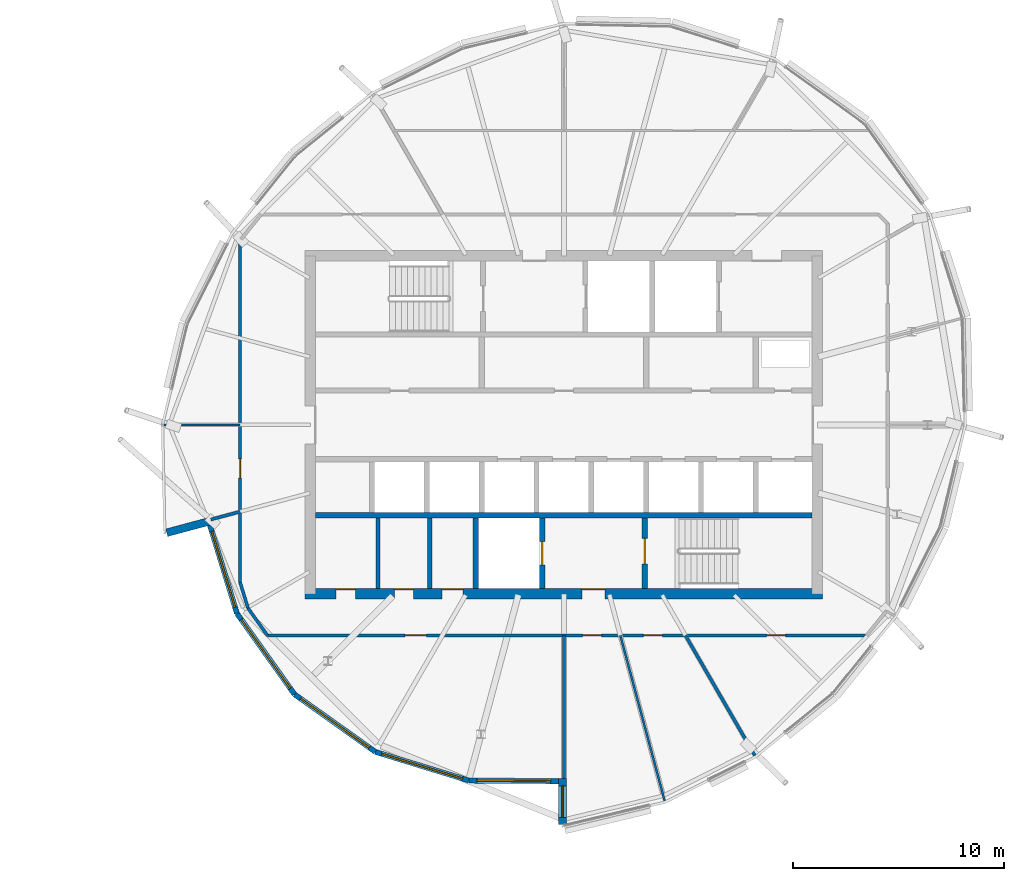
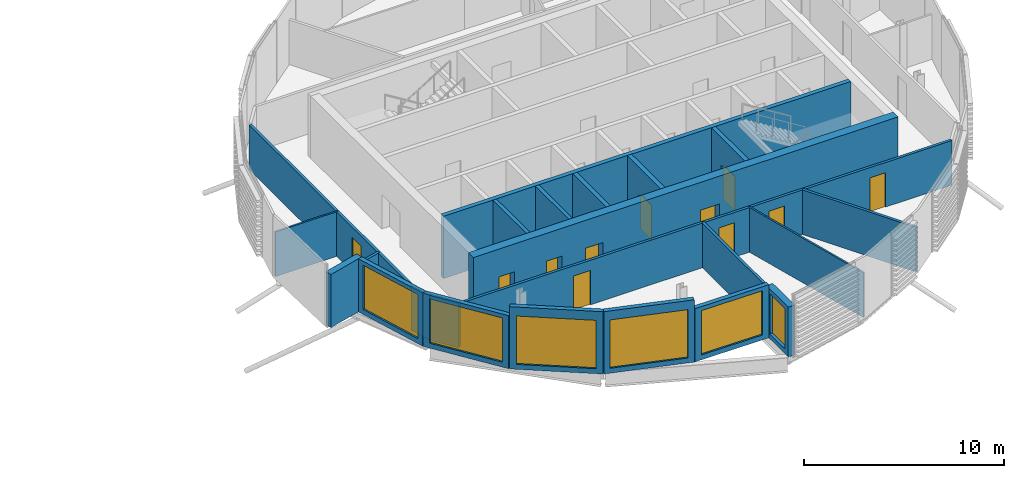
# One storey, part 21 of 36: 23 walls, 11 doors, 6 windows, 17 openings.
"""IFC4 building model written with IfcOpenShell, lengths in metres."""

from ifc_helpers import new_model, si_unit, direction, frame, frame_2d, origin, place, context, subcontext, project, spatial, rectangle, extrude, material, layer, layer_set, type_object, element, fill, save


model = new_model("IFC4")

# Units and contexts
model_context = context("Model", 3, precision=1e-05, world=origin(), true_north=direction((0.0, 1.0)))
body_context = subcontext(model_context, "Body", "Model", "MODEL_VIEW")
ifc_project = project(units=[si_unit("LENGTHUNIT", "METRE"), si_unit("AREAUNIT", "SQUARE_METRE"), si_unit("VOLUMEUNIT", "CUBIC_METRE"), si_unit("PLANEANGLEUNIT", "RADIAN"), si_unit("MASSUNIT", "GRAM", prefix="KILO")], contexts=[model_context])

# Site, building, storey
site_placement = place(None, origin())
site = spatial("IfcSite", under=ifc_project, at=site_placement, CompositionType="ELEMENT")
building_placement = place(site_placement, origin())
building = spatial("IfcBuilding", under=site, at=building_placement, Name="Rimbun Link Towers", CompositionType="ELEMENT")
storey_placement = place(building_placement, frame((0.0, 0.0, 248.5)))
storey = spatial("IfcBuildingStorey", under=building, at=storey_placement, Name="L61", CompositionType="ELEMENT", Elevation=248.5)

# Wall, opening, window
ifc_material_1 = material(Name="Dark enamelled glass spandrel on insulated aluminium backpan", Category="aluminium")
ifc_layer_1 = layer(ifc_material_1, 0.25)
ifc_layer_set_1 = layer_set([ifc_layer_1], Name="CS dark enamelled spandrel wall 250")
wall_type_1 = type_object("IfcWallType", Name="CS dark enamelled spandrel wall 250", PredefinedType="STANDARD", material=ifc_layer_set_1)
wall_1_placement = place(storey_placement, frame((16.2744140625, -8.92529296875, 0.0), z_axis=(0.0, 0.0, 1.0), x_axis=(-0.292962457371, 0.956123945193, 0.0)))
wall_1 = element("IfcWall", 1, at=wall_1_placement, inside=storey, type_object=wall_type_1, Name="Crease spandrel wall", PredefinedType="STANDARD", context=body_context, shape_type="SweptSolid", body=[
    extrude(rectangle(XDim=4.368408203125, YDim=0.25, at=frame_2d((2.18408203125, 0.0))), origin(), (0.0, 0.0, 1.0), 3.24365234375),
])
opening_1_placement = place(wall_1_placement, frame((0.309326171875, 0.0, 0.300048828125)))
opening_1 = element("IfcOpeningElement", 2, at=opening_1_placement, cuts=wall_1, Name="Opening WR38H270", PredefinedType="OPENING", context=body_context, shape_type="SweptSolid", body=[
    extrude(rectangle(XDim=3.75, YDim=2.699951171875, at=frame_2d((1.875, 1.35009765625))), frame((0.0, 0.135009765625, 0.0), z_axis=(0.0, -1.0, 0.0), x_axis=(1.0, 0.0, 0.0)), (0.0, 0.0, 1.0), 0.27001953125),
])
ifc_material_2 = material(Name="Aluminium framed fixed window, dark tinted low-e glass", Category="aluminium")
window_type_1 = type_object("IfcWindowType", Name="WR ribbon window 3750X2700", PartitioningType="SINGLE_PANEL", PredefinedType="WINDOW", material=ifc_material_2)
window_1_placement = place(opening_1_placement, origin())
window_1 = element("IfcWindow", 3, at=window_1_placement, inside=storey, type_object=window_type_1, Name="Crease ribbon window", OverallHeight=2.699951171875, OverallWidth=3.75, PartitioningType="SINGLE_PANEL", PredefinedType="WINDOW", context=body_context, shape_type="SweptSolid", body=[
    extrude(rectangle(XDim=3.75, YDim=2.699951171875, at=frame_2d((1.875, 1.35009765625))), frame((0.0, 0.030029296875, 0.0), z_axis=(0.0, -1.0, 0.0), x_axis=(1.0, 0.0, 0.0)), (0.0, 0.0, 1.0), 0.06005859375),
])
fill(opening_1, window_1)

wall_2_placement = place(storey_placement, frame((18.99755859375, -12.75244140625, 0.0), z_axis=(0.0, 0.0, 1.0), x_axis=(-0.579752367254, 0.814792729879, 0.0)))
wall_2 = element("IfcWall", 4, at=wall_2_placement, inside=storey, type_object=wall_type_1, Name="Crease spandrel wall", PredefinedType="STANDARD", context=body_context, shape_type="SweptSolid", body=[
    extrude(rectangle(XDim=4.697021484375, YDim=0.25, at=frame_2d((2.3486328125, 0.0))), origin(), (0.0, 0.0, 1.0), 3.24365234375),
])
opening_2_placement = place(wall_2_placement, frame((0.3486328125, 0.0, 0.300048828125)))
opening_2 = element("IfcOpeningElement", 5, at=opening_2_placement, cuts=wall_2, Name="Opening WR40H270", PredefinedType="OPENING", context=body_context, shape_type="SweptSolid", body=[
    extrude(rectangle(XDim=4.0, YDim=2.699951171875, at=frame_2d((2.0, 1.35009765625))), frame((0.0, 0.135009765625, 0.0), z_axis=(0.0, -1.0, 0.0), x_axis=(1.0, 0.0, 0.0)), (0.0, 0.0, 1.0), 0.27001953125),
])
ifc_material_3 = material(Name="Aluminium framed fixed window, dark tinted low-e glass", Category="aluminium")
window_type_2 = type_object("IfcWindowType", Name="WR ribbon window 4000X2700", PartitioningType="SINGLE_PANEL", PredefinedType="WINDOW", material=ifc_material_3)
window_2_placement = place(opening_2_placement, origin())
window_2 = element("IfcWindow", 6, at=window_2_placement, inside=storey, type_object=window_type_2, Name="Crease ribbon window", OverallHeight=2.699951171875, OverallWidth=4.0, PartitioningType="SINGLE_PANEL", PredefinedType="WINDOW", context=body_context, shape_type="SweptSolid", body=[
    extrude(rectangle(XDim=4.0, YDim=2.699951171875, at=frame_2d((2.0, 1.35009765625))), frame((0.0, 0.030029296875, 0.0), z_axis=(0.0, -1.0, 0.0), x_axis=(1.0, 0.0, 0.0)), (0.0, 0.0, 1.0), 0.06005859375),
])
fill(opening_2, window_2)

wall_3_placement = place(storey_placement, frame((22.82470703125, -15.4755859375, 0.0), z_axis=(0.0, 0.0, 1.0), x_axis=(-0.814792729879, 0.579752367254, 0.0)))
wall_3 = element("IfcWall", 7, at=wall_3_placement, inside=storey, type_object=wall_type_1, Name="Crease spandrel wall", PredefinedType="STANDARD", context=body_context, shape_type="SweptSolid", body=[
    extrude(rectangle(XDim=4.697021484375, YDim=0.25, at=frame_2d((2.3486328125, 0.0))), origin(), (0.0, 0.0, 1.0), 3.800048828125),
])
opening_3_placement = place(wall_3_placement, frame((0.3486328125, 0.0, 0.300048828125)))
opening_3 = element("IfcOpeningElement", 8, at=opening_3_placement, cuts=wall_3, Name="Opening WR40H295", PredefinedType="OPENING", context=body_context, shape_type="SweptSolid", body=[
    extrude(rectangle(XDim=4.0, YDim=2.949951171875, at=frame_2d((2.0, 1.47509765625))), frame((0.0, 0.135009765625, 0.0), z_axis=(0.0, -1.0, 0.0), x_axis=(1.0, 0.0, 0.0)), (0.0, 0.0, 1.0), 0.27001953125),
])
ifc_material_4 = material(Name="Aluminium framed fixed window, dark tinted low-e glass", Category="aluminium")
window_type_3 = type_object("IfcWindowType", Name="WR ribbon window 4000X2950", PartitioningType="SINGLE_PANEL", PredefinedType="WINDOW", material=ifc_material_4)
window_3_placement = place(opening_3_placement, origin())
window_3 = element("IfcWindow", 9, at=window_3_placement, inside=storey, type_object=window_type_3, Name="Crease ribbon window", OverallHeight=2.949951171875, OverallWidth=4.0, PartitioningType="SINGLE_PANEL", PredefinedType="WINDOW", context=body_context, shape_type="SweptSolid", body=[
    extrude(rectangle(XDim=4.0, YDim=2.949951171875, at=frame_2d((2.0, 1.47509765625))), frame((0.0, 0.030029296875, 0.0), z_axis=(0.0, -1.0, 0.0), x_axis=(1.0, 0.0, 0.0)), (0.0, 0.0, 1.0), 0.06005859375),
])
fill(opening_3, window_3)

wall_4_placement = place(storey_placement, frame((27.25390625, -16.832763671875, 0.0), z_axis=(0.0, 0.0, 1.0), x_axis=(-0.956121349586, 0.292970928362, 0.0)))
wall_4 = element("IfcWall", 10, at=wall_4_placement, inside=storey, type_object=wall_type_1, Name="Crease spandrel wall", PredefinedType="STANDARD", context=body_context, shape_type="SweptSolid", body=[
    extrude(rectangle(XDim=4.632568359375, YDim=0.25, at=frame_2d((2.31640625, 0.0))), origin(), (0.0, 0.0, 1.0), 3.800048828125),
])
opening_4_placement = place(wall_4_placement, frame((0.316162109375, 0.0, 0.300048828125)))
opening_4 = element("IfcOpeningElement", 11, at=opening_4_placement, cuts=wall_4, Name="Opening WR40H295", PredefinedType="OPENING", context=body_context, shape_type="SweptSolid", body=[
    extrude(rectangle(XDim=4.0, YDim=2.949951171875, at=frame_2d((2.0, 1.47509765625))), frame((0.0, 0.135009765625, 0.0), z_axis=(0.0, -1.0, 0.0), x_axis=(1.0, 0.0, 0.0)), (0.0, 0.0, 1.0), 0.27001953125),
])
window_4_placement = place(opening_4_placement, origin())
window_4 = element("IfcWindow", 12, at=window_4_placement, inside=storey, type_object=window_type_3, Name="Crease ribbon window", OverallHeight=2.949951171875, OverallWidth=4.0, PartitioningType="SINGLE_PANEL", PredefinedType="WINDOW", context=body_context, shape_type="SweptSolid", body=[
    extrude(rectangle(XDim=4.0, YDim=2.949951171875, at=frame_2d((2.0, 1.47509765625))), frame((0.0, 0.030029296875, 0.0), z_axis=(0.0, -1.0, 0.0), x_axis=(1.0, 0.0, 0.0)), (0.0, 0.0, 1.0), 0.06005859375),
])
fill(opening_4, window_4)

wall_5_placement = place(storey_placement, frame((31.5, -16.862548828125, 0.0), z_axis=(0.0, 0.0, 1.0), x_axis=(-0.999975397764, 0.007014546833, 0.0)))
wall_5 = element("IfcWall", 13, at=wall_5_placement, inside=storey, type_object=wall_type_1, Name="Crease spandrel wall", PredefinedType="STANDARD", context=body_context, shape_type="SweptSolid", body=[
    extrude(rectangle(XDim=4.24609375, YDim=0.25, at=frame_2d((2.123046875, 0.0))), origin(), (0.0, 0.0, 1.0), 3.24365234375),
])
opening_5_placement = place(wall_5_placement, frame((0.373046875, 0.0, 0.300048828125)))
opening_5 = element("IfcOpeningElement", 14, at=opening_5_placement, cuts=wall_5, Name="Opening WR35H270", PredefinedType="OPENING", context=body_context, shape_type="SweptSolid", body=[
    extrude(rectangle(XDim=3.5, YDim=2.699951171875, at=frame_2d((1.75, 1.35009765625))), frame((0.0, 0.135009765625, 0.0), z_axis=(0.0, -1.0, 0.0), x_axis=(1.0, 0.0, 0.0)), (0.0, 0.0, 1.0), 0.27001953125),
])
ifc_material_5 = material(Name="Aluminium framed fixed window, dark tinted low-e glass", Category="aluminium")
window_type_4 = type_object("IfcWindowType", Name="WR ribbon window 3500X2700", PartitioningType="SINGLE_PANEL", PredefinedType="WINDOW", material=ifc_material_5)
window_5_placement = place(opening_5_placement, origin())
window_5 = element("IfcWindow", 15, at=window_5_placement, inside=storey, type_object=window_type_4, Name="Crease ribbon window", OverallHeight=2.699951171875, OverallWidth=3.5, PartitioningType="SINGLE_PANEL", PredefinedType="WINDOW", context=body_context, shape_type="SweptSolid", body=[
    extrude(rectangle(XDim=3.5, YDim=2.699951171875, at=frame_2d((1.75, 1.35009765625))), frame((0.0, 0.030029296875, 0.0), z_axis=(0.0, -1.0, 0.0), x_axis=(1.0, 0.0, 0.0)), (0.0, 0.0, 1.0), 0.06005859375),
])
fill(opening_5, window_5)

# Wall
ifc_material_6 = material(Name="Dark enamelled glass spandrel on insulated aluminium backpan", Category="aluminium")
ifc_layer_2 = layer(ifc_material_6, 0.3701171875)
ifc_layer_set_2 = layer_set([ifc_layer_2], Name="CS dark enamelled spandrel wall 370")
wall_type_2 = type_object("IfcWallType", Name="CS dark enamelled spandrel wall 370", PredefinedType="STANDARD", material=ifc_layer_set_2)
wall_6_placement = place(storey_placement, frame((15.058837890625, -4.539794921875, 0.0), z_axis=(0.0, 0.0, 1.0), x_axis=(-0.96592755611, -0.258812589237, 0.0)))
element("IfcWall", 16, at=wall_6_placement, inside=storey, type_object=wall_type_2, Name="Crease spandrel wall", PredefinedType="STANDARD", context=body_context, shape_type="SweptSolid", body=[
    extrude(rectangle(XDim=2.179931640625, YDim=0.3701171875, at=frame_2d((1.08984375, 0.0))), origin(), (0.0, 0.0, 1.0), 3.24365234375),
])

# Wall, opening, window
wall_7_placement = place(storey_placement, frame((31.68505859375, -18.919189453125, 0.0), z_axis=(0.0, 0.0, 1.0), x_axis=(0.0, 1.0, 0.0)))
wall_7 = element("IfcWall", 17, at=wall_7_placement, inside=storey, type_object=wall_type_2, Name="Crease spandrel wall", PredefinedType="STANDARD", context=body_context, shape_type="SweptSolid", body=[
    extrude(rectangle(XDim=2.179931640625, YDim=0.3701171875, at=frame_2d((1.08984375, 0.0))), origin(), (0.0, 0.0, 1.0), 3.04736328125),
])
opening_6_placement = place(wall_7_placement, frame((0.340087890625, 0.0, 0.300048828125)))
opening_6 = element("IfcOpeningElement", 18, at=opening_6_placement, cuts=wall_7, Name="Opening WR15H245", PredefinedType="OPENING", context=body_context, shape_type="SweptSolid", body=[
    extrude(rectangle(XDim=1.5, YDim=2.449951171875, at=frame_2d((0.75, 1.22509765625))), frame((0.0, 0.195068359375, 0.0), z_axis=(0.0, -1.0, 0.0), x_axis=(1.0, 0.0, 0.0)), (0.0, 0.0, 1.0), 0.39013671875),
])
ifc_material_7 = material(Name="Aluminium framed fixed window, dark tinted low-e glass", Category="aluminium")
window_type_5 = type_object("IfcWindowType", Name="WR ribbon window 1500X2450", PartitioningType="SINGLE_PANEL", PredefinedType="WINDOW", material=ifc_material_7)
window_6_placement = place(opening_6_placement, origin())
window_6 = element("IfcWindow", 19, at=window_6_placement, inside=storey, type_object=window_type_5, Name="Crease ribbon window", OverallHeight=2.449951171875, OverallWidth=1.5, PartitioningType="SINGLE_PANEL", PredefinedType="WINDOW", context=body_context, shape_type="SweptSolid", body=[
    extrude(rectangle(XDim=1.5, YDim=2.449951171875, at=frame_2d((0.75, 1.22509765625))), frame((0.0, 0.030029296875, 0.0), z_axis=(0.0, -1.0, 0.0), x_axis=(1.0, 0.0, 0.0)), (0.0, 0.0, 1.0), 0.06005859375),
])
fill(opening_6, window_6)

# Walls
ifc_material_8 = material(Name="Masonry blockwork", Category="masonry")
ifc_layer_3 = layer(ifc_material_8, 0.199951171875)
ifc_layer_set_3 = layer_set([ifc_layer_3], Name="Core partition 200")
wall_type_3 = type_object("IfcWallType", Name="Core partition 200", PredefinedType="PARTITIONING", material=ifc_layer_set_3)
for number, where, z_axis, x_axis, name in (
    (20, (22.949951171875, -4.39990234375, 0.0), (0.0, 0.0, 1.0), (0.0, -1.0, 0.0), "L61 T2 core wall C1"),
    (21, (25.39990234375, -4.39990234375, 0.0), (0.0, 0.0, 1.0), (0.0, -1.0, 0.0), "L61 T2 core wall C2"),
):
    element("IfcWall", number, at=place(storey_placement, frame(where, z_axis=z_axis, x_axis=x_axis)), inside=storey, type_object=wall_type_3, Name=name, PredefinedType="PARTITIONING", context=body_context, shape_type="SweptSolid", body=[
        extrude(rectangle(XDim=3.35009765625, YDim=0.199951171875, at=frame_2d((1.675048828125, 0.0))), origin(), (0.0, 0.0, 1.0), 3.800048828125),
    ])

# Wall, openings, doors
ifc_material_9 = material(Name="Concrete C60/75", Category="concrete")
ifc_layer_4 = layer(ifc_material_9, 0.5)
ifc_layer_set_4 = layer_set([ifc_layer_4], Name="Core shear wall 500")
wall_type_4 = type_object("IfcWallType", Name="Core shear wall 500", PredefinedType="SHEAR", material=ifc_layer_set_4)
wall_8_placement = place(storey_placement, frame((19.5, -8.0, 0.0), z_axis=(0.0, 0.0, 1.0), x_axis=(1.0, 0.0, 0.0)))
wall_8 = element("IfcWall", 22, at=wall_8_placement, inside=storey, type_object=wall_type_4, Name="L61 T2 core wall S", PredefinedType="SHEAR", context=body_context, shape_type="SweptSolid", body=[
    extrude(rectangle(XDim=24.5, YDim=0.5, at=frame_2d((12.25, 0.0))), origin(), (0.0, 0.0, 1.0), 3.800048828125),
])
opening_7_placement = place(wall_8_placement, frame((13.10009765625, 0.0, 0.0)))
opening_7 = element("IfcOpeningElement", 23, at=opening_7_placement, cuts=wall_8, Name="Opening C2DCF01S", PredefinedType="OPENING", context=body_context, shape_type="SweptSolid", body=[
    extrude(rectangle(XDim=1.10009765625, YDim=2.10009765625, at=frame_2d((0.550048828125, 1.050048828125))), frame((0.0, 0.260009765625, 0.0), z_axis=(0.0, -1.0, 0.0), x_axis=(1.0, 0.0, 0.0)), (0.0, 0.0, 1.0), 0.52001953125),
])
opening_8_placement = place(wall_8_placement, frame((1.47509765625, 0.0, 0.0)))
opening_8 = element("IfcOpeningElement", 24, at=opening_8_placement, cuts=wall_8, Name="Opening C2DWC02S", PredefinedType="OPENING", context=body_context, shape_type="SweptSolid", body=[
    extrude(rectangle(XDim=0.89990234375, YDim=2.10009765625, at=frame_2d((0.449951171875, 1.050048828125))), frame((0.0, 0.260009765625, 0.0), z_axis=(0.0, -1.0, 0.0), x_axis=(1.0, 0.0, 0.0)), (0.0, 0.0, 1.0), 0.52001953125),
])
opening_9_placement = place(wall_8_placement, frame((4.22509765625, 0.0, 0.0)))
opening_9 = element("IfcOpeningElement", 25, at=opening_9_placement, cuts=wall_8, Name="Opening C2DWC03S", PredefinedType="OPENING", context=body_context, shape_type="SweptSolid", body=[
    extrude(rectangle(XDim=0.89990234375, YDim=2.10009765625, at=frame_2d((0.449951171875, 1.050048828125))), frame((0.0, 0.260009765625, 0.0), z_axis=(0.0, -1.0, 0.0), x_axis=(1.0, 0.0, 0.0)), (0.0, 0.0, 1.0), 0.52001953125),
])
opening_10_placement = place(wall_8_placement, frame((6.47509765625, 0.0, 0.0)))
opening_10 = element("IfcOpeningElement", 26, at=opening_10_placement, cuts=wall_8, Name="Opening C2DAW04S", PredefinedType="OPENING", context=body_context, shape_type="SweptSolid", body=[
    extrude(rectangle(XDim=1.0, YDim=2.10009765625, at=frame_2d((0.5, 1.050048828125))), frame((0.0, 0.260009765625, 0.0), z_axis=(0.0, -1.0, 0.0), x_axis=(1.0, 0.0, 0.0)), (0.0, 0.0, 1.0), 0.52001953125),
])
ifc_material_10 = material(Name="Timber", Category="wood")
door_type_1 = type_object("IfcDoorType", Name="Accessible WC door", OperationType="SINGLE_SWING_LEFT", PredefinedType="DOOR", material=ifc_material_10)
door_1_placement = place(opening_10_placement, origin())
door_1 = element("IfcDoor", 27, at=door_1_placement, inside=storey, type_object=door_type_1, Name="L61 T2 accessible wc door", OperationType="SINGLE_SWING_RIGHT", OverallHeight=2.10009765625, OverallWidth=1.0, PredefinedType="DOOR", context=body_context, shape_type="SweptSolid", body=[
    extrude(rectangle(XDim=1.0, YDim=2.10009765625, at=frame_2d((0.5, 1.050048828125))), frame((0.0, 0.25, 0.0), z_axis=(0.0, -1.0, 0.0), x_axis=(1.0, 0.0, 0.0)), (0.0, 0.0, 1.0), 0.050048828125),
])
fill(opening_10, door_1)
ifc_material_11 = material(Name="Steel fire door set", Category="steel")
door_type_2 = type_object("IfcDoorType", Name="Core fire door single", OperationType="SINGLE_SWING_LEFT", PredefinedType="DOOR", material=ifc_material_11)
door_2_placement = place(opening_7_placement, origin())
door_2 = element("IfcDoor", 28, at=door_2_placement, inside=storey, type_object=door_type_2, Name="L61 T2 firefighting lobby s door", OperationType="SINGLE_SWING_LEFT", OverallHeight=2.10009765625, OverallWidth=1.10009765625, PredefinedType="DOOR", context=body_context, shape_type="SweptSolid", body=[
    extrude(rectangle(XDim=1.10009765625, YDim=2.10009765625, at=frame_2d((0.550048828125, 1.050048828125))), frame((0.0, 0.25, 0.0), z_axis=(0.0, -1.0, 0.0), x_axis=(1.0, 0.0, 0.0)), (0.0, 0.0, 1.0), 0.050048828125),
])
fill(opening_7, door_2)
ifc_material_12 = material(Name="Timber", Category="wood")
door_type_3 = type_object("IfcDoorType", Name="WC door", OperationType="SINGLE_SWING_LEFT", PredefinedType="DOOR", material=ifc_material_12)
door_3_placement = place(opening_8_placement, origin())
door_3 = element("IfcDoor", 29, at=door_3_placement, inside=storey, type_object=door_type_3, Name="L61 T2 male wc door", OperationType="SINGLE_SWING_RIGHT", OverallHeight=2.10009765625, OverallWidth=0.89990234375, PredefinedType="DOOR", context=body_context, shape_type="SweptSolid", body=[
    extrude(rectangle(XDim=0.89990234375, YDim=2.10009765625, at=frame_2d((0.449951171875, 1.050048828125))), frame((0.0, 0.25, 0.0), z_axis=(0.0, -1.0, 0.0), x_axis=(1.0, 0.0, 0.0)), (0.0, 0.0, 1.0), 0.050048828125),
])
fill(opening_8, door_3)
door_4_placement = place(opening_9_placement, origin())
door_4 = element("IfcDoor", 30, at=door_4_placement, inside=storey, type_object=door_type_3, Name="L61 T2 female wc door", OperationType="SINGLE_SWING_RIGHT", OverallHeight=2.10009765625, OverallWidth=0.89990234375, PredefinedType="DOOR", context=body_context, shape_type="SweptSolid", body=[
    extrude(rectangle(XDim=0.89990234375, YDim=2.10009765625, at=frame_2d((0.449951171875, 1.050048828125))), frame((0.0, 0.25, 0.0), z_axis=(0.0, -1.0, 0.0), x_axis=(1.0, 0.0, 0.0)), (0.0, 0.0, 1.0), 0.050048828125),
])
fill(opening_9, door_4)

ifc_material_13 = material(Name="Plasterboard on steel stud, mineral wool", Category="steel")
ifc_layer_5 = layer(ifc_material_13, 0.14990234375)
ifc_layer_set_5 = layer_set([ifc_layer_5], Name="Corridor wall EI 30 150 mm")
wall_type_5 = type_object("IfcWallType", Name="Corridor wall EI 30 150 mm", PredefinedType="PARTITIONING", material=ifc_layer_set_5)
wall_9_placement = place(storey_placement, frame((46.07568359375, -9.965087890625, 0.0), z_axis=(0.0, 0.0, 1.0), x_axis=(-1.0, 0.0, 0.0)))
wall_9 = element("IfcWall", 31, at=wall_9_placement, inside=storey, type_object=wall_type_5, Name="Corridor wall EI 30 150 mm", PredefinedType="PARTITIONING", context=body_context, shape_type="SweptSolid", body=[
    extrude(rectangle(XDim=28.355712890625, YDim=0.14990234375, at=frame_2d((14.177734375, 0.0))), origin(), (0.0, 0.0, 1.0), 2.721923828125),
])
opening_11_placement = place(wall_9_placement, frame((12.54052734375, 0.0, 0.0)))
opening_11 = element("IfcOpeningElement", 32, at=opening_11_placement, cuts=wall_9, Name="Opening D02", PredefinedType="OPENING", context=body_context, shape_type="SweptSolid", body=[
    extrude(rectangle(XDim=0.89990234375, YDim=2.10009765625, at=frame_2d((0.449951171875, 1.050048828125))), frame((0.0, 0.0849609375, 0.0), z_axis=(0.0, -1.0, 0.0), x_axis=(1.0, 0.0, 0.0)), (0.0, 0.0, 1.0), 0.169921875),
])
opening_12_placement = place(wall_9_placement, frame((9.663818359375, 0.0, 0.0)))
opening_12 = element("IfcOpeningElement", 33, at=opening_12_placement, cuts=wall_9, Name="Opening D02", PredefinedType="OPENING", context=body_context, shape_type="SweptSolid", body=[
    extrude(rectangle(XDim=0.89990234375, YDim=2.10009765625, at=frame_2d((0.449951171875, 1.050048828125))), frame((0.0, 0.0849609375, 0.0), z_axis=(0.0, -1.0, 0.0), x_axis=(1.0, 0.0, 0.0)), (0.0, 0.0, 1.0), 0.169921875),
])
opening_13_placement = place(wall_9_placement, frame((3.836181640625, 0.0, 0.0)))
opening_13 = element("IfcOpeningElement", 34, at=opening_13_placement, cuts=wall_9, Name="Opening D02", PredefinedType="OPENING", context=body_context, shape_type="SweptSolid", body=[
    extrude(rectangle(XDim=0.89990234375, YDim=2.10009765625, at=frame_2d((0.449951171875, 1.050048828125))), frame((0.0, 0.0849609375, 0.0), z_axis=(0.0, -1.0, 0.0), x_axis=(1.0, 0.0, 0.0)), (0.0, 0.0, 1.0), 0.169921875),
])
opening_14_placement = place(wall_9_placement, frame((20.840576171875, 0.0, 0.0)))
opening_14 = element("IfcOpeningElement", 35, at=opening_14_placement, cuts=wall_9, Name="Opening D01", PredefinedType="OPENING", context=body_context, shape_type="SweptSolid", body=[
    extrude(rectangle(XDim=1.0, YDim=2.10009765625, at=frame_2d((0.5, 1.050048828125))), frame((0.0, 0.0849609375, 0.0), z_axis=(0.0, -1.0, 0.0), x_axis=(1.0, 0.0, 0.0)), (0.0, 0.0, 1.0), 0.169921875),
])
ifc_material_14 = material(Name="Fire-resisting timber door leaf", Category="wood")
door_type_4 = type_object("IfcDoorType", Name="Fire door FD30S 1000", OperationType="NOTDEFINED", PredefinedType="DOOR", material=ifc_material_14)
door_5_placement = place(opening_14_placement, origin())
door_5 = element("IfcDoor", 36, at=door_5_placement, inside=storey, type_object=door_type_4, Name="Fire door FD30S 1000 to Terrace office", OperationType="SINGLE_SWING_RIGHT", OverallHeight=2.10009765625, OverallWidth=1.0, PredefinedType="DOOR", context=body_context, shape_type="SweptSolid", body=[
    extrude(rectangle(XDim=1.0, YDim=2.10009765625, at=frame_2d((0.5, 1.050048828125))), frame((0.0, 0.02490234375, 0.0), z_axis=(0.0, -1.0, 0.0), x_axis=(1.0, 0.0, 0.0)), (0.0, 0.0, 1.0), 0.050048828125),
])
fill(opening_14, door_5)
ifc_material_15 = material(Name="Fire-resisting timber door leaf", Category="wood")
door_type_5 = type_object("IfcDoorType", Name="Fire door FD30S 900", OperationType="NOTDEFINED", PredefinedType="DOOR", material=ifc_material_15)
door_6_placement = place(opening_11_placement, origin())
door_6 = element("IfcDoor", 37, at=door_6_placement, inside=storey, type_object=door_type_5, Name="Fire door FD30S 900 to Meeting room", OperationType="SINGLE_SWING_LEFT", OverallHeight=2.10009765625, OverallWidth=0.89990234375, PredefinedType="DOOR", context=body_context, shape_type="SweptSolid", body=[
    extrude(rectangle(XDim=0.89990234375, YDim=2.10009765625, at=frame_2d((0.449951171875, 1.050048828125))), frame((0.0, 0.02490234375, 0.0), z_axis=(0.0, -1.0, 0.0), x_axis=(1.0, 0.0, 0.0)), (0.0, 0.0, 1.0), 0.050048828125),
])
fill(opening_11, door_6)
door_7_placement = place(opening_12_placement, origin())
door_7 = element("IfcDoor", 38, at=door_7_placement, inside=storey, type_object=door_type_5, Name="Fire door FD30S 900 to Meeting room", OperationType="SINGLE_SWING_RIGHT", OverallHeight=2.10009765625, OverallWidth=0.89990234375, PredefinedType="DOOR", context=body_context, shape_type="SweptSolid", body=[
    extrude(rectangle(XDim=0.89990234375, YDim=2.10009765625, at=frame_2d((0.449951171875, 1.050048828125))), frame((0.0, 0.02490234375, 0.0), z_axis=(0.0, -1.0, 0.0), x_axis=(1.0, 0.0, 0.0)), (0.0, 0.0, 1.0), 0.050048828125),
])
fill(opening_12, door_7)
door_8_placement = place(opening_13_placement, origin())
door_8 = element("IfcDoor", 39, at=door_8_placement, inside=storey, type_object=door_type_5, Name="Fire door FD30S 900 to Meeting room", OperationType="SINGLE_SWING_LEFT", OverallHeight=2.10009765625, OverallWidth=0.89990234375, PredefinedType="DOOR", context=body_context, shape_type="SweptSolid", body=[
    extrude(rectangle(XDim=0.89990234375, YDim=2.10009765625, at=frame_2d((0.449951171875, 1.050048828125))), frame((0.0, 0.02490234375, 0.0), z_axis=(0.0, -1.0, 0.0), x_axis=(1.0, 0.0, 0.0)), (0.0, 0.0, 1.0), 0.050048828125),
])
fill(opening_13, door_8)

# Walls
wall_10_placement = place(storey_placement, frame((16.796875, -8.667724609375, 0.0), z_axis=(0.0, 0.0, 1.0), x_axis=(0.579743276124, -0.814799198446, 0.0)))
element("IfcWall", 40, at=wall_10_placement, inside=storey, type_object=wall_type_5, Name="Corridor wall EI 30 150 mm", PredefinedType="PARTITIONING", context=body_context, shape_type="SweptSolid", body=[
    extrude(rectangle(XDim=1.59228515625, YDim=0.14990234375, at=frame_2d((0.796142578125, 0.0))), origin(), (0.0, 0.0, 1.0), 2.721923828125),
])
wall_11_placement = place(storey_placement, frame((16.425048828125, -7.4541015625, 0.0), z_axis=(0.0, 0.0, 1.0), x_axis=(0.292936783144, -0.956131811562, 0.0)))
element("IfcWall", 41, at=wall_11_placement, inside=storey, type_object=wall_type_5, Name="Corridor wall EI 30 150 mm", PredefinedType="PARTITIONING", context=body_context, shape_type="SweptSolid", body=[
    extrude(rectangle(XDim=1.269287109375, YDim=0.14990234375, at=frame_2d((0.634765625, 0.0))), origin(), (0.0, 0.0, 1.0), 2.721923828125),
])

# Wall, opening, door
wall_12_placement = place(storey_placement, frame((16.425048828125, -7.4541015625, 0.0), z_axis=(0.0, 0.0, 1.0), x_axis=(0.0, 1.0, 0.0)))
wall_12 = element("IfcWall", 42, at=wall_12_placement, inside=storey, type_object=wall_type_5, Name="Corridor wall EI 30 150 mm", PredefinedType="PARTITIONING", context=body_context, shape_type="SweptSolid", body=[
    extrude(rectangle(XDim=16.146240234375, YDim=0.14990234375, at=frame_2d((8.0732421875, 0.0))), origin(), (0.0, 0.0, 1.0), 2.721923828125),
])
opening_15_placement = place(wall_12_placement, frame((4.950927734375, 0.0, 0.0)))
opening_15 = element("IfcOpeningElement", 43, at=opening_15_placement, cuts=wall_12, Name="Opening D02", PredefinedType="OPENING", context=body_context, shape_type="SweptSolid", body=[
    extrude(rectangle(XDim=0.89990234375, YDim=2.10009765625, at=frame_2d((0.449951171875, 1.050048828125))), frame((0.0, 0.0849609375, 0.0), z_axis=(0.0, -1.0, 0.0), x_axis=(1.0, 0.0, 0.0)), (0.0, 0.0, 1.0), 0.169921875),
])
door_9_placement = place(opening_15_placement, origin())
door_9 = element("IfcDoor", 44, at=door_9_placement, inside=storey, type_object=door_type_5, Name="Fire door FD30S 900 to Meeting room", OperationType="SINGLE_SWING_LEFT", OverallHeight=2.10009765625, OverallWidth=0.89990234375, PredefinedType="DOOR", context=body_context, shape_type="SweptSolid", body=[
    extrude(rectangle(XDim=0.89990234375, YDim=2.10009765625, at=frame_2d((0.449951171875, 1.050048828125))), frame((0.0, 0.02490234375, 0.0), z_axis=(0.0, -1.0, 0.0), x_axis=(1.0, 0.0, 0.0)), (0.0, 0.0, 1.0), 0.050048828125),
])
fill(opening_15, door_9)

# Walls
ifc_material_16 = material(Name="Plasterboard on steel stud", Category="steel")
ifc_layer_6 = layer(ifc_material_16, 0.10009765625)
ifc_layer_set_6 = layer_set([ifc_layer_6], Name="Plasterboard partition 100 mm")
wall_type_6 = type_object("IfcWallType", Name="Plasterboard partition 100 mm", PredefinedType="PARTITIONING", material=ifc_layer_set_6)
wall_13_placement = place(storey_placement, frame((36.51904296875, -17.798583984375, 0.0), z_axis=(0.0, 0.0, 1.0), x_axis=(-0.258807310343, 0.965928970532, 0.0)))
element("IfcWall", 45, at=wall_13_placement, inside=storey, type_object=wall_type_6, Name="Plasterboard partition 100 mm", PredefinedType="PARTITIONING", context=body_context, shape_type="SweptSolid", body=[
    extrude(rectangle(XDim=8.10986328125, YDim=0.10009765625, at=frame_2d((4.054931640625, 0.0))), origin(), (0.0, 0.0, 1.0), 2.721923828125),
])
wall_14_placement = place(storey_placement, frame((12.810791015625, 0.0, 0.0), z_axis=(0.0, 0.0, 1.0), x_axis=(1.0, 0.0, 0.0)))
element("IfcWall", 46, at=wall_14_placement, inside=storey, type_object=wall_type_6, Name="Plasterboard partition 100 mm", PredefinedType="PARTITIONING", context=body_context, shape_type="SweptSolid", body=[
    extrude(rectangle(XDim=3.6142578125, YDim=0.10009765625, at=frame_2d((1.80712890625, 0.0))), origin(), (0.0, 0.0, 1.0), 2.721923828125),
])
ifc_material_17 = material(Name="Concrete C60/75", Category="concrete")
ifc_layer_7 = layer(ifc_material_17, 0.25)
ifc_layer_set_7 = layer_set([ifc_layer_7], Name="Shaft wall 250")
wall_type_7 = type_object("IfcWallType", Name="Shaft wall 250", PredefinedType="SHEAR", material=ifc_layer_set_7)
wall_15_placement = place(storey_placement, frame((20.0, -4.27490234375, 0.0), z_axis=(0.0, 0.0, 1.0), x_axis=(1.0, 0.0, 0.0)))
element("IfcWall", 47, at=wall_15_placement, inside=storey, type_object=wall_type_7, Name="L61 T2 core wall BS", PredefinedType="SHEAR", context=body_context, shape_type="SweptSolid", body=[
    extrude(rectangle(XDim=23.5, YDim=0.25, at=frame_2d((11.75, 0.0))), origin(), (0.0, 0.0, 1.0), 3.800048828125),
])

# Wall, opening, door
wall_16_placement = place(storey_placement, frame((35.574951171875, -4.39990234375, 0.0), z_axis=(0.0, 0.0, 1.0), x_axis=(0.0, -1.0, 0.0)))
wall_16 = element("IfcWall", 48, at=wall_16_placement, inside=storey, type_object=wall_type_7, Name="L61 T2 core wall B1", PredefinedType="SHEAR", context=body_context, shape_type="SweptSolid", body=[
    extrude(rectangle(XDim=3.35009765625, YDim=0.25, at=frame_2d((1.675048828125, 0.0))), origin(), (0.0, 0.0, 1.0), 3.800048828125),
])
opening_16_placement = place(wall_16_placement, frame((0.97509765625, 0.0, 0.0)))
opening_16 = element("IfcOpeningElement", 49, at=opening_16_placement, cuts=wall_16, Name="Opening C2DST01B1", PredefinedType="OPENING", context=body_context, shape_type="SweptSolid", body=[
    extrude(rectangle(XDim=1.199951171875, YDim=2.10009765625, at=frame_2d((0.60009765625, 1.050048828125))), frame((0.0, 0.135009765625, 0.0), z_axis=(0.0, -1.0, 0.0), x_axis=(1.0, 0.0, 0.0)), (0.0, 0.0, 1.0), 0.27001953125),
])
ifc_material_18 = material(Name="Steel fire door set", Category="steel")
door_type_6 = type_object("IfcDoorType", Name="Stair door", OperationType="SINGLE_SWING_LEFT", PredefinedType="DOOR", material=ifc_material_18)
door_10_placement = place(opening_16_placement, origin())
door_10 = element("IfcDoor", 50, at=door_10_placement, inside=storey, type_object=door_type_6, Name="L61 T2 stair b door", OperationType="SINGLE_SWING_RIGHT", OverallHeight=2.10009765625, OverallWidth=1.199951171875, PredefinedType="DOOR", context=body_context, shape_type="SweptSolid", body=[
    extrude(rectangle(XDim=1.199951171875, YDim=2.10009765625, at=frame_2d((0.60009765625, 1.050048828125))), frame((0.0, 0.02490234375, 0.0), z_axis=(0.0, -1.0, 0.0), x_axis=(1.0, 0.0, 0.0)), (0.0, 0.0, 1.0), 0.050048828125),
])
fill(opening_16, door_10)

wall_17_placement = place(storey_placement, frame((30.72509765625, -4.39990234375, 0.0), z_axis=(0.0, 0.0, 1.0), x_axis=(0.0, -1.0, 0.0)))
wall_17 = element("IfcWall", 51, at=wall_17_placement, inside=storey, type_object=wall_type_7, Name="L61 T2 core wall B2", PredefinedType="SHEAR", context=body_context, shape_type="SweptSolid", body=[
    extrude(rectangle(XDim=3.35009765625, YDim=0.25, at=frame_2d((1.675048828125, 0.0))), origin(), (0.0, 0.0, 1.0), 3.800048828125),
])
opening_17_placement = place(wall_17_placement, frame((1.125, 0.0, 0.0)))
opening_17 = element("IfcOpeningElement", 52, at=opening_17_placement, cuts=wall_17, Name="Opening LD-T2-FF2", PredefinedType="OPENING", context=body_context, shape_type="SweptSolid", body=[
    extrude(rectangle(XDim=1.10009765625, YDim=2.10009765625, at=frame_2d((0.550048828125, 1.050048828125))), frame((0.0, 0.135009765625, 0.0), z_axis=(0.0, -1.0, 0.0), x_axis=(1.0, 0.0, 0.0)), (0.0, 0.0, 1.0), 0.27001953125),
])
ifc_material_19 = material(Name="Stainless steel grade 316", Category="steel")
door_type_7 = type_object("IfcDoorType", Name="Lift landing door", OperationType="DOUBLE_DOOR_SLIDING", PredefinedType="DOOR", material=ifc_material_19)
door_11_placement = place(opening_17_placement, origin())
door_11 = element("IfcDoor", 53, at=door_11_placement, inside=storey, type_object=door_type_7, Name="L61 T2 lift FF2 landing door", OperationType="DOUBLE_DOOR_SLIDING", OverallHeight=2.10009765625, OverallWidth=1.10009765625, PredefinedType="DOOR", context=body_context, shape_type="SweptSolid", body=[
    extrude(rectangle(XDim=1.10009765625, YDim=2.10009765625, at=frame_2d((0.550048828125, 1.050048828125))), frame((0.0, 0.02490234375, 0.0), z_axis=(0.0, -1.0, 0.0), x_axis=(1.0, 0.0, 0.0)), (0.0, 0.0, 1.0), 0.050048828125),
])
fill(opening_17, door_11)

# Walls
wall_18_placement = place(storey_placement, frame((27.574951171875, -4.39990234375, 0.0), z_axis=(0.0, 0.0, 1.0), x_axis=(0.0, -1.0, 0.0)))
element("IfcWall", 54, at=wall_18_placement, inside=storey, type_object=wall_type_7, Name="L61 T2 core wall B3", PredefinedType="SHEAR", context=body_context, shape_type="SweptSolid", body=[
    extrude(rectangle(XDim=3.35009765625, YDim=0.25, at=frame_2d((1.675048828125, 0.0))), origin(), (0.0, 0.0, 1.0), 3.800048828125),
])
ifc_material_20 = material(Name="Plasterboard on steel stud, mineral wool", Category="steel")
ifc_layer_8 = layer(ifc_material_20, 0.14990234375)
ifc_layer_set_8 = layer_set([ifc_layer_8], Name="Tenancy separation wall EI 60 150 mm")
wall_type_8 = type_object("IfcWallType", Name="Tenancy separation wall EI 60 150 mm", PredefinedType="PARTITIONING", material=ifc_layer_set_8)
wall_19_placement = place(storey_placement, frame((16.425048828125, -4.1064453125, 0.0), z_axis=(0.0, 0.0, 1.0), x_axis=(-0.965965552286, -0.258670740127, 0.0)))
element("IfcWall", 55, at=wall_19_placement, inside=storey, type_object=wall_type_8, Name="Tenancy separation wall EI 60 150 mm", PredefinedType="PARTITIONING", context=body_context, shape_type="SweptSolid", body=[
    extrude(rectangle(XDim=1.431884765625, YDim=0.14990234375, at=frame_2d((0.7158203125, 0.0))), origin(), (0.0, 0.0, 1.0), 2.721923828125),
])
wall_20_placement = place(storey_placement, frame((31.75, -9.965087890625, 0.0), z_axis=(0.0, 0.0, 1.0), x_axis=(0.0, -1.0, 0.0)))
element("IfcWall", 56, at=wall_20_placement, inside=storey, type_object=wall_type_8, Name="Tenancy separation wall EI 60 150 mm", PredefinedType="PARTITIONING", context=body_context, shape_type="SweptSolid", body=[
    extrude(rectangle(XDim=6.774169921875, YDim=0.14990234375, at=frame_2d((3.38720703125, 0.0))), origin(), (0.0, 0.0, 1.0), 2.721923828125),
])
wall_21_placement = place(storey_placement, frame((37.50341796875, -9.965087890625, 0.0), z_axis=(0.0, 0.0, 1.0), x_axis=(0.499995874514, -0.866027785622, 0.0)))
element("IfcWall", 57, at=wall_21_placement, inside=storey, type_object=wall_type_8, Name="Tenancy separation wall EI 60 150 mm", PredefinedType="PARTITIONING", context=body_context, shape_type="SweptSolid", body=[
    extrude(rectangle(XDim=6.56982421875, YDim=0.14990234375, at=frame_2d((3.284912109375, 0.0))), origin(), (0.0, 0.0, 1.0), 2.721923828125),
])

save(model, "model.ifc")
